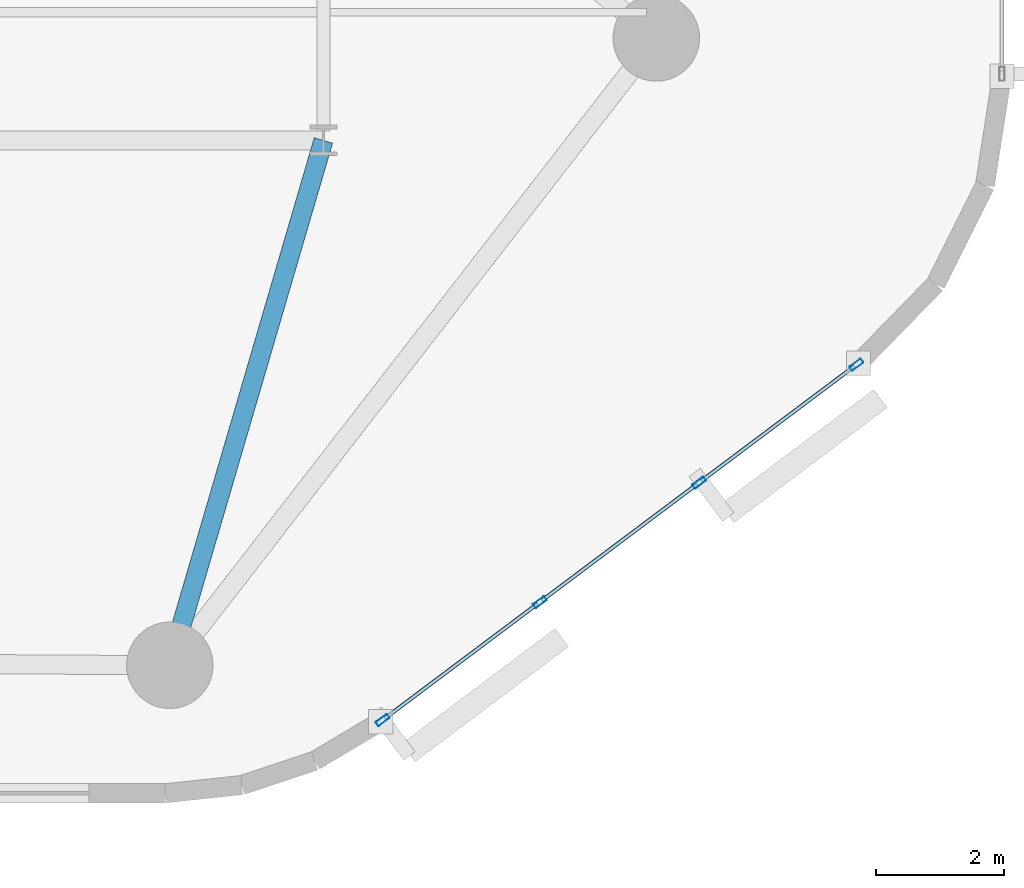
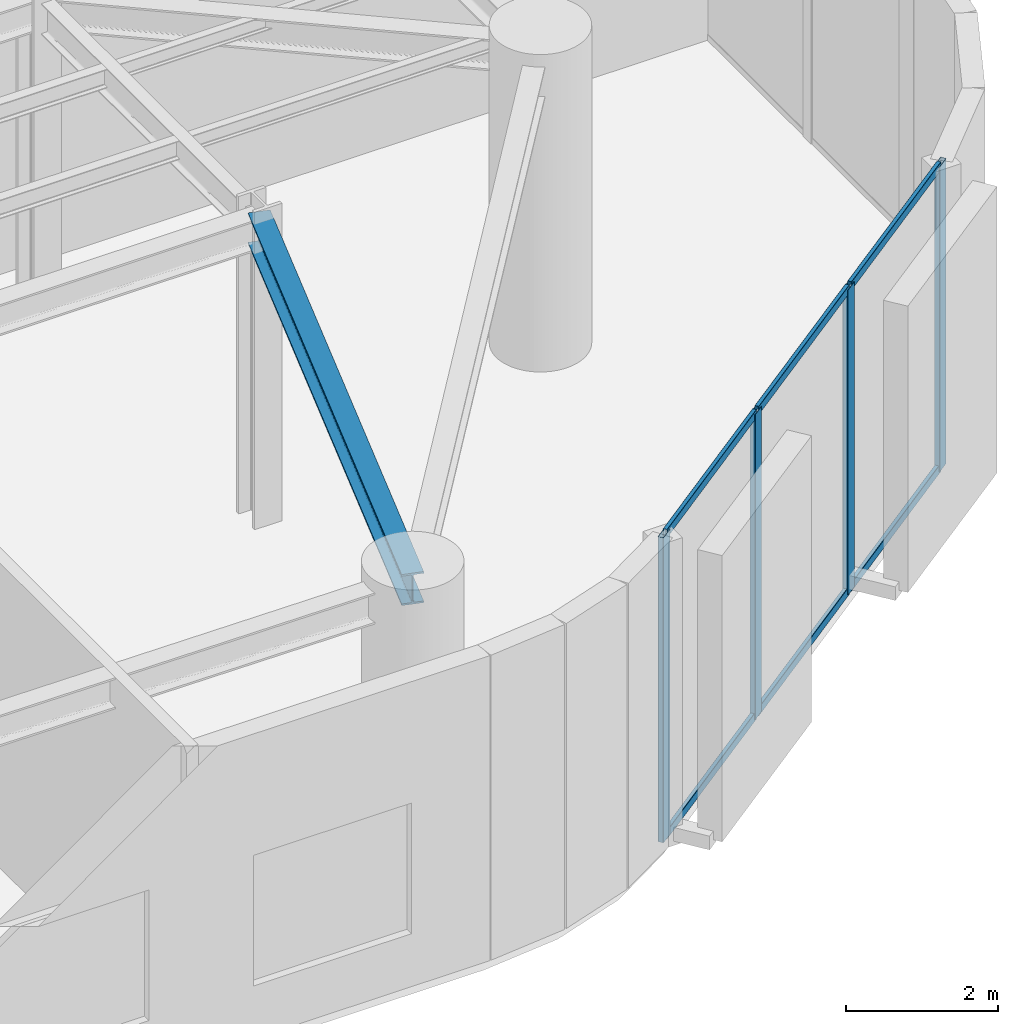
# One storey, part 2 of 14: 10 members, 1 beam, 1 element without a shape of its own.
"""IFC4 building model written with IfcOpenShell, lengths in metres."""

from ifc_helpers import new_model, si_unit, direction, frame, origin, origin_2d, place, context, subcontext, project, spatial, hollow_rectangle, i_section, extrude, material, layer, layer_set, material_profile, profile_set, type_object, element, aggregate, save


model = new_model("IFC4")

# Units and contexts
model_context = context("Model", 3, precision=1e-05, world=origin(), true_north=direction((0.0, 1.0)))
body_context = subcontext(model_context, "Body", "Model", "MODEL_VIEW")
ifc_project = project(units=[si_unit("LENGTHUNIT", "METRE"), si_unit("AREAUNIT", "SQUARE_METRE"), si_unit("VOLUMEUNIT", "CUBIC_METRE"), si_unit("PLANEANGLEUNIT", "RADIAN"), si_unit("MASSUNIT", "GRAM", prefix="KILO")], contexts=[model_context])

# Site, building, storey
site_placement = place(None, origin())
site = spatial("IfcSite", under=ifc_project, at=site_placement, CompositionType="ELEMENT")
building_placement = place(site_placement, origin())
building = spatial("IfcBuilding", under=site, at=building_placement, Name="An Khanh Terracotta Commons", CompositionType="ELEMENT")
storey_placement = place(building_placement, frame((0.0, 0.0, 81.199951171875)))
storey = spatial("IfcBuildingStorey", under=building, at=storey_placement, Name="L21", CompositionType="ELEMENT", Elevation=81.199951171875)

# Beam
ifc_material_1 = material(Name="Steel S355J2", Category="steel")
ifc_material_profile_1 = material_profile(ifc_material_1, i_section(OverallWidth=0.300048828125, OverallDepth=0.5, WebThickness=0.014404296875, FlangeThickness=0.028076171875, FilletRadius=0.027099609375, at=origin_2d()), Name="HEB500")
ifc_profile_set_1 = profile_set([ifc_material_profile_1], Name="Steel S355J2")
beam_type = type_object("IfcBeamType", Name="BM-HEB500", PredefinedType="BEAM", material=ifc_profile_set_1)
beam_placement = place(storey_placement, frame((44.39990234375, 6.199951171875, 4.650146484375), z_axis=(0.280916085823, 0.959732333896, 0.0), x_axis=(-0.959732333896, 0.280916085823, 0.0)))
element("IfcBeam", 1, at=beam_placement, inside=storey, type_object=beam_type, Name="L21 Mega-Column Tie Girder 2", PredefinedType="BEAM", context=body_context, shape_type="SweptSolid", body=[
    extrude(i_section(OverallWidth=0.300048828125, OverallDepth=0.5, WebThickness=0.014404296875, FlangeThickness=0.028076171875, FilletRadius=0.027099609375, at=origin_2d()), origin(), (0.0, 0.0, 1.0), 8.5439453125),
])

# Curtain wall, members
ifc_material_2 = material(Name="Anodised Aluminium 6063-T6", Category="aluminium")
ifc_layer = layer(ifc_material_2, 0.239990234375, Name="Anodised Aluminium 6063-T6")
ifc_layer_set = layer_set([ifc_layer], Name="Anodised Aluminium 6063-T6")
curtain_wall_type = type_object("IfcCurtainWallType", Name="CW-SYS-04", PredefinedType="USERDEFINED", material=ifc_layer_set)
curtain_wall_placement = place(storey_placement, origin())
curtain_wall = element("IfcCurtainWall", 2, at=curtain_wall_placement, inside=storey, type_object=curtain_wall_type, Name="L21 CW-04 Unitised Curtain Wall CW-L21-08", ObjectType="UNITISED CURTAIN WALL", PredefinedType="USERDEFINED")
ifc_material_profile_2 = material_profile(ifc_material_2, hollow_rectangle(XDim=0.080078125, YDim=0.219970703125, WallThickness=0.0048828125, InnerFilletRadius=0.0048828125, OuterFilletRadius=0.010009765625, at=origin_2d()), Name="RHS220x80x5")
ifc_profile_set_2 = profile_set([ifc_material_profile_2], Name="Anodised Aluminium 6063-T6")
member_type_1 = type_object("IfcMemberType", Name="CWM-RHS220x80x5", PredefinedType="MULLION", material=ifc_profile_set_2)
member_1_placement = place(storey_placement, frame((47.72509765625, 5.343994140625, 0.0), z_axis=(0.0, 0.0, 1.0), x_axis=(-0.599982857492, 0.800012856594, 0.0)))
member_1 = element("IfcMember", 3, at=member_1_placement, type_object=member_type_1, Name="CW-04 mullion 1", PredefinedType="MULLION", context=body_context, shape_type="SweptSolid", body=[
    extrude(hollow_rectangle(XDim=0.080078125, YDim=0.219970703125, WallThickness=0.0048828125, InnerFilletRadius=0.0048828125, OuterFilletRadius=0.010009765625, at=origin_2d()), origin(), (0.0, 0.0, 1.0), 4.900146484375),
])
member_2_placement = place(storey_placement, frame((50.181884765625, 7.186767578125, 0.0), z_axis=(0.0, 0.0, 1.0), x_axis=(-0.599982857492, 0.800012856594, 0.0)))
member_2 = element("IfcMember", 4, at=member_2_placement, type_object=member_type_1, Name="CW-04 mullion 2", PredefinedType="MULLION", context=body_context, shape_type="SweptSolid", body=[
    extrude(hollow_rectangle(XDim=0.080078125, YDim=0.219970703125, WallThickness=0.0048828125, InnerFilletRadius=0.0048828125, OuterFilletRadius=0.010009765625, at=origin_2d()), origin(), (0.0, 0.0, 1.0), 4.900146484375),
])
member_3_placement = place(storey_placement, frame((52.6708984375, 9.05322265625, 0.0), z_axis=(0.0, 0.0, 1.0), x_axis=(-0.599982857492, 0.800012856594, 0.0)))
member_3 = element("IfcMember", 5, at=member_3_placement, type_object=member_type_1, Name="CW-04 mullion 3", PredefinedType="MULLION", context=body_context, shape_type="SweptSolid", body=[
    extrude(hollow_rectangle(XDim=0.080078125, YDim=0.219970703125, WallThickness=0.0048828125, InnerFilletRadius=0.0048828125, OuterFilletRadius=0.010009765625, at=origin_2d()), origin(), (0.0, 0.0, 1.0), 4.900146484375),
])
member_4_placement = place(storey_placement, frame((55.1279296875, 10.89599609375, 0.0), z_axis=(0.0, 0.0, 1.0), x_axis=(-0.599982857492, 0.800012856594, 0.0)))
member_4 = element("IfcMember", 6, at=member_4_placement, type_object=member_type_1, Name="CW-04 mullion 4", PredefinedType="MULLION", context=body_context, shape_type="SweptSolid", body=[
    extrude(hollow_rectangle(XDim=0.080078125, YDim=0.219970703125, WallThickness=0.0048828125, InnerFilletRadius=0.0048828125, OuterFilletRadius=0.010009765625, at=origin_2d()), origin(), (0.0, 0.0, 1.0), 4.900146484375),
])
ifc_material_profile_3 = material_profile(ifc_material_2, hollow_rectangle(XDim=0.06005859375, YDim=0.135009765625, WallThickness=0.003662109375, InnerFilletRadius=0.003662109375, OuterFilletRadius=0.007080078125, at=origin_2d()), Name="RHS135x60x3.6")
ifc_profile_set_3 = profile_set([ifc_material_profile_3], Name="Anodised Aluminium 6063-T6")
member_type_2 = type_object("IfcMemberType", Name="CWT-RHS135x60x3.6", PredefinedType="USERDEFINED", material=ifc_profile_set_3)
member_5_placement = place(storey_placement, frame((47.757080078125, 5.367919921875, 0.030029296875), z_axis=(0.799990205094, 0.600013059652, 0.0), x_axis=(-0.600013059652, 0.799990205094, 0.0)))
member_5 = element("IfcMember", 7, at=member_5_placement, type_object=member_type_2, Name="CW-04 transom 1.1", ObjectType="TRANSOM", PredefinedType="USERDEFINED", context=body_context, shape_type="SweptSolid", body=[
    extrude(hollow_rectangle(XDim=0.06005859375, YDim=0.135009765625, WallThickness=0.003662109375, InnerFilletRadius=0.003662109375, OuterFilletRadius=0.007080078125, at=origin_2d()), origin(), (0.0, 0.0, 1.0), 2.990966796875),
])
member_6_placement = place(storey_placement, frame((47.757080078125, 5.367919921875, 4.8701171875), z_axis=(0.799990205094, 0.600013059652, 0.0), x_axis=(-0.600013059652, 0.799990205094, 0.0)))
member_6 = element("IfcMember", 8, at=member_6_placement, type_object=member_type_2, Name="CW-04 transom 1.2", ObjectType="TRANSOM", PredefinedType="USERDEFINED", context=body_context, shape_type="SweptSolid", body=[
    extrude(hollow_rectangle(XDim=0.06005859375, YDim=0.135009765625, WallThickness=0.003662109375, InnerFilletRadius=0.003662109375, OuterFilletRadius=0.007080078125, at=origin_2d()), origin(), (0.0, 0.0, 1.0), 2.990966796875),
])
member_7_placement = place(storey_placement, frame((50.214111328125, 7.210693359375, 0.030029296875), z_axis=(0.8, 0.6, 0.0), x_axis=(-0.6, 0.8, 0.0)))
member_7 = element("IfcMember", 9, at=member_7_placement, type_object=member_type_2, Name="CW-04 transom 2.1", ObjectType="TRANSOM", PredefinedType="USERDEFINED", context=body_context, shape_type="SweptSolid", body=[
    extrude(hollow_rectangle(XDim=0.06005859375, YDim=0.135009765625, WallThickness=0.003662109375, InnerFilletRadius=0.003662109375, OuterFilletRadius=0.007080078125, at=origin_2d()), origin(), (0.0, 0.0, 1.0), 3.031005859375),
])
member_8_placement = place(storey_placement, frame((50.214111328125, 7.210693359375, 4.8701171875), z_axis=(0.8, 0.6, 0.0), x_axis=(-0.6, 0.8, 0.0)))
member_8 = element("IfcMember", 10, at=member_8_placement, type_object=member_type_2, Name="CW-04 transom 2.2", ObjectType="TRANSOM", PredefinedType="USERDEFINED", context=body_context, shape_type="SweptSolid", body=[
    extrude(hollow_rectangle(XDim=0.06005859375, YDim=0.135009765625, WallThickness=0.003662109375, InnerFilletRadius=0.003662109375, OuterFilletRadius=0.007080078125, at=origin_2d()), origin(), (0.0, 0.0, 1.0), 3.031005859375),
])
member_9_placement = place(storey_placement, frame((52.702880859375, 9.077392578125, 0.030029296875), z_axis=(0.800019587892, 0.599973881922, 0.0), x_axis=(-0.599973881922, 0.800019587892, 0.0)))
member_9 = element("IfcMember", 11, at=member_9_placement, type_object=member_type_2, Name="CW-04 transom 3.1", ObjectType="TRANSOM", PredefinedType="USERDEFINED", context=body_context, shape_type="SweptSolid", body=[
    extrude(hollow_rectangle(XDim=0.06005859375, YDim=0.135009765625, WallThickness=0.003662109375, InnerFilletRadius=0.003662109375, OuterFilletRadius=0.007080078125, at=origin_2d()), origin(), (0.0, 0.0, 1.0), 2.9912109375),
])
member_10_placement = place(storey_placement, frame((52.702880859375, 9.077392578125, 4.8701171875), z_axis=(0.800019587892, 0.599973881922, 0.0), x_axis=(-0.599973881922, 0.800019587892, 0.0)))
member_10 = element("IfcMember", 12, at=member_10_placement, type_object=member_type_2, Name="CW-04 transom 3.2", ObjectType="TRANSOM", PredefinedType="USERDEFINED", context=body_context, shape_type="SweptSolid", body=[
    extrude(hollow_rectangle(XDim=0.06005859375, YDim=0.135009765625, WallThickness=0.003662109375, InnerFilletRadius=0.003662109375, OuterFilletRadius=0.007080078125, at=origin_2d()), origin(), (0.0, 0.0, 1.0), 2.9912109375),
])
aggregate(curtain_wall, [member_1, member_2, member_3, member_4, member_5, member_6, member_7, member_8, member_9, member_10])

save(model, "model.ifc")
